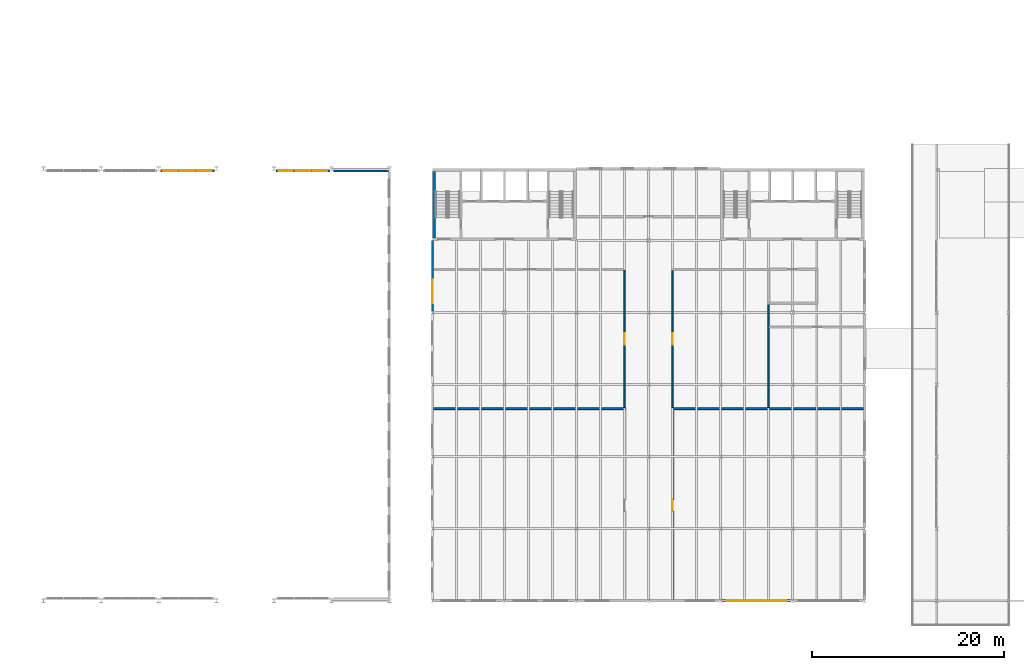
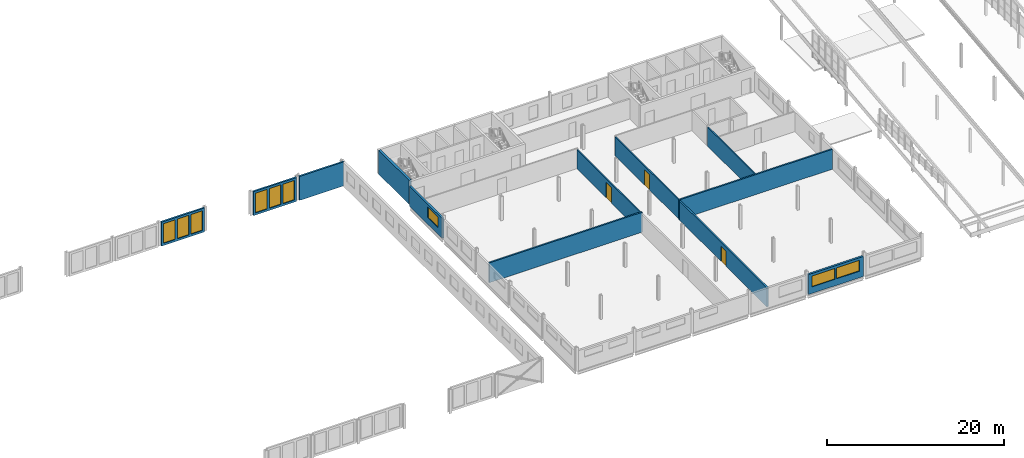
# One storey, part 53 of 199: 12 walls, 9 windows, 3 doors, 12 openings.
"""IFC4 building model written with IfcOpenShell, lengths in metres."""

import ifcopenshell
import ifcopenshell.guid

model = None  # the IFC model being written
_history = None  # IfcOwnerHistory: only IFC2X3 demands one
_inside = {}  # id of a spatial element -> (the spatial element, [elements in it])
_under = {}  # id of a project, library or spatial element -> (it, [spatial elements below it])
_declared = {}  # id of a project -> (the project, [libraries it declares])
_typed = {}  # id of a type object -> (the type object, [elements of that type])
_made_of = {}  # id of a material, layer set ... -> (it, [elements and type objects made of it])


def new_model(schema):
    """Start an empty IFC model of exactly this schema.

    Asked for "IFC4X3", IfcOpenShell would pick the latest addendum, in which some entities
    have other attributes; the version numbers below select the first issue.
    IFC2X3 requires an IfcOwnerHistory on every rooted entity: one is made here for all.
    """
    global model, _history
    if schema == "IFC4X3":
        model = ifcopenshell.file(schema_version=(4, 3, 0, 0))
    else:
        model = ifcopenshell.file(schema=schema)
    _inside.clear()
    _under.clear()
    _declared.clear()
    _typed.clear()
    _made_of.clear()
    _history = None
    if model.schema == "IFC2X3":
        org = make("IfcOrganization", Name="unknown")
        user = make(
            "IfcPersonAndOrganization",
            ThePerson=make("IfcPerson", FamilyName="unknown"),
            TheOrganization=org,
        )
        app = make(
            "IfcApplication",
            ApplicationDeveloper=org,
            Version="unknown",
            ApplicationFullName="unknown",
            ApplicationIdentifier="unknown",
        )
        _history = make(
            "IfcOwnerHistory",
            OwningUser=user,
            OwningApplication=app,
            ChangeAction="ADDED",
            CreationDate=0,
        )
    return model


def make(cls, **values):
    """One entity of the class cls with the attributes given. An attribute that is None is left unset."""
    return model.create_entity(
        cls, **{name: value for name, value in values.items() if value is not None}
    )


def rooted(cls, **values):
    """An entity with a GlobalId (a new one), such as an element, a storey or a relation."""
    return make(cls, GlobalId=ifcopenshell.guid.new(), OwnerHistory=_history, **values)


def si_unit(unit_type, name, prefix=None):
    """IfcSIUnit, for example si_unit("LENGTHUNIT", "METRE", prefix="MILLI")."""
    return make("IfcSIUnit", UnitType=unit_type, Prefix=prefix, Name=name)


def assignment(units):
    """IfcUnitAssignment: the units of a project."""
    return None if units is None else make("IfcUnitAssignment", Units=units)


def point(xyz):
    """IfcCartesianPoint."""
    return None if xyz is None else make("IfcCartesianPoint", Coordinates=xyz)


def direction(xyz):
    """IfcDirection."""
    return None if xyz is None else make("IfcDirection", DirectionRatios=xyz)


def frame(location, z_axis=None, x_axis=None):
    """IfcAxis2Placement3D, a coordinate frame: its origin and axes. An axis left out is left unset."""
    return make(
        "IfcAxis2Placement3D",
        Location=point(location),
        Axis=direction(z_axis),
        RefDirection=direction(x_axis),
    )


def frame_2d(location, x_axis=None):
    """IfcAxis2Placement2D, a coordinate frame in the plane: its origin and x axis."""
    return make(
        "IfcAxis2Placement2D", Location=point(location), RefDirection=direction(x_axis)
    )


def origin():
    """The frame at (0, 0, 0) with its axes left unset."""
    return frame((0.0, 0.0, 0.0))


def place(relative_to, where):
    """IfcLocalPlacement: puts the frame where relative to a parent placement (None: the world)."""
    return make(
        "IfcLocalPlacement", PlacementRelTo=relative_to, RelativePlacement=where
    )


def context(
    kind, dimensions, precision=None, world=None, true_north=None, identifier=None
):
    """IfcGeometricRepresentationContext, for example the 3D "Model" context."""
    return make(
        "IfcGeometricRepresentationContext",
        ContextIdentifier=identifier,
        ContextType=kind,
        CoordinateSpaceDimension=dimensions,
        Precision=precision,
        WorldCoordinateSystem=world,
        TrueNorth=true_north,
    )


def subcontext(parent, identifier, kind, view, scale=None):
    """IfcGeometricRepresentationSubContext, for example "Body" below "Model"."""
    return make(
        "IfcGeometricRepresentationSubContext",
        ContextIdentifier=identifier,
        ContextType=kind,
        ParentContext=parent,
        TargetScale=scale,
        TargetView=view,
    )


def project(units=None, contexts=None):
    """IfcProject with its units and contexts."""
    return rooted(
        "IfcProject",
        Name="project",
        RepresentationContexts=contexts,
        UnitsInContext=assignment(units),
    )


def spatial(cls, under=None, at=None, **own):
    """A site, building, storey or space (cls), placed at a placement, below another one or the project."""
    s = rooted(cls, ObjectPlacement=at, **own)
    if under is not None:
        _under.setdefault(under.id(), (under, []))[1].append(s)
    return s


def profile(cls, at=None, kind="AREA", **sizes):
    """A parametric profile (cls). Its sizes go by their IFC names, for example OverallWidth=200.0."""
    return make(cls, ProfileType=kind, Position=at, **sizes)


def rectangle(**sizes):
    """IfcRectangleProfileDef."""
    return profile("IfcRectangleProfileDef", **sizes)


def extrude(swept, where, along, depth):
    """IfcExtrudedAreaSolid: the profile swept, set in the frame where, extruded along a direction by depth."""
    return make(
        "IfcExtrudedAreaSolid",
        SweptArea=swept,
        Position=where,
        ExtrudedDirection=direction(along),
        Depth=depth,
    )


def shape(context_of_items, identifier, shape_type, items):
    """IfcShapeRepresentation: the items that make up one representation, for example the "Body"."""
    return make(
        "IfcShapeRepresentation",
        ContextOfItems=context_of_items,
        RepresentationIdentifier=identifier,
        RepresentationType=shape_type,
        Items=items,
    )


def material(Name=None, Category=None):
    """IfcMaterial."""
    return make("IfcMaterial", Name=Name, Category=Category)


def layer(
    of_material, thickness, ventilated=None, Name=None, Category=None, Priority=None
):
    """IfcMaterialLayer: one layer of a wall or slab, of a material (None: an air gap)."""
    return make(
        "IfcMaterialLayer",
        Material=of_material,
        LayerThickness=thickness,
        IsVentilated=ventilated,
        Name=Name,
        Category=Category,
        Priority=Priority,
    )


def layer_set(layers, Name=None):
    """IfcMaterialLayerSet."""
    return make("IfcMaterialLayerSet", MaterialLayers=layers, LayerSetName=Name)


def made_of(thing, what):
    """Note that an element or type object is made of a material, layer set ...; save() writes the relation."""
    if what is not None:
        _made_of.setdefault(what.id(), (what, []))[1].append(thing)
    return thing


def type_object(cls, material=None, **own):
    """A type object (cls), such as IfcWallType, which elements share."""
    return made_of(rooted(cls, **own), material)


def element(
    cls,
    number,
    at=None,
    inside=None,
    cuts=None,
    type_object=None,
    material=None,
    context=None,
    identifier="Body",
    shape_type=None,
    held_by="IfcProductDefinitionShape",
    body=None,
    shapes=None,
    **own,
):
    """One element of the class cls, such as IfcWall. Its Tag is "e" and its number.

    at: its placement. inside: the storey or other place that contains it. cuts: it is an
    opening in that element (IfcRelVoidsElement). A single representation is given by context,
    identifier, shape_type and body (its items); several are given by shapes. held_by: the class
    of the entity that holds the representations. save() writes the other relations.
    """
    e = rooted(cls, Tag="e%d" % number, ObjectPlacement=at, **own)
    if body is not None:
        shapes = [shape(context, identifier, shape_type, body)]
    if shapes is not None:
        e.Representation = make(held_by, Representations=shapes)
    if inside is not None:
        _inside.setdefault(inside.id(), (inside, []))[1].append(e)
    if cuts is not None:
        rooted(
            "IfcRelVoidsElement", RelatingBuildingElement=cuts, RelatedOpeningElement=e
        )
    if type_object is not None:
        _typed.setdefault(type_object.id(), (type_object, []))[1].append(e)
    return made_of(e, material)


def fill(opening, filler):
    """IfcRelFillsElement: the door or window that sits in an opening."""
    return rooted(
        "IfcRelFillsElement",
        RelatingOpeningElement=opening,
        RelatedBuildingElement=filler,
    )


def aggregate(whole, parts):
    """IfcRelAggregates: a whole, such as a stair, and the parts it consists of."""
    return rooted("IfcRelAggregates", RelatingObject=whole, RelatedObjects=parts)


def save(model, path):
    """Write the relations noted so far, then the file.

    IfcRelAggregates (storeys below a building ...), IfcRelContainedInSpatialStructure (elements
    in a storey), IfcRelDefinesByType, IfcRelAssociatesMaterial and IfcRelDeclares: one each for
    every whole, place, type object, material and project.
    """
    for whole, parts in _under.values():
        aggregate(whole, parts)
    for where, things in _inside.values():
        rooted(
            "IfcRelContainedInSpatialStructure",
            RelatedElements=things,
            RelatingStructure=where,
        )
    for kind, things in _typed.values():
        rooted("IfcRelDefinesByType", RelatedObjects=things, RelatingType=kind)
    for what, things in _made_of.values():
        rooted("IfcRelAssociatesMaterial", RelatedObjects=things, RelatingMaterial=what)
    for by, libraries in _declared.values():
        rooted("IfcRelDeclares", RelatingContext=by, RelatedDefinitions=libraries)
    model.write(path)


model = new_model("IFC4")

# Units and contexts
model_context = context("Model", 3, precision=1e-05, world=origin(), true_north=direction((0.0, 1.0)))
body_context = subcontext(model_context, "Body", "Model", "MODEL_VIEW")
ifc_project = project(units=[si_unit("LENGTHUNIT", "METRE"), si_unit("AREAUNIT", "SQUARE_METRE"), si_unit("VOLUMEUNIT", "CUBIC_METRE"), si_unit("PLANEANGLEUNIT", "RADIAN"), si_unit("MASSUNIT", "GRAM", prefix="KILO")], contexts=[model_context])

# Site, building, storey
site_placement = place(None, origin())
site = spatial("IfcSite", under=ifc_project, at=site_placement, CompositionType="ELEMENT")
building_placement = place(site_placement, origin())
building = spatial("IfcBuilding", under=site, at=building_placement, Name="Parallax Yard Mobility Hub", CompositionType="ELEMENT")
storey_placement = place(building_placement, frame((0.0, 0.0, 9.89990234375)))
storey = spatial("IfcBuildingStorey", under=building, at=storey_placement, Name="L03", CompositionType="ELEMENT", Elevation=9.89990234375)

# Wall
ifc_material_1 = material(Name="Concrete fc' 35 MPa", Category="concrete")
ifc_layer_1 = layer(ifc_material_1, 0.300048828125)
ifc_layer_set_1 = layer_set([ifc_layer_1], Name="Concrete fc' 35 MPa core wall 300")
wall_type_1 = type_object("IfcWallType", Name="Concrete fc' 35 MPa core wall 300", PredefinedType="SHEAR", material=ifc_layer_set_1)
wall_1_placement = place(storey_placement, frame((97.64990234375, 45.300048828125, 0.0), z_axis=(0.0, 0.0, 1.0), x_axis=(0.0, 1.0, 0.0)))
element("IfcWall", 1, at=wall_1_placement, inside=storey, type_object=wall_type_1, Name="Core C6-W west-side end wall level L03", PredefinedType="SHEAR", context=body_context, shape_type="SweptSolid", body=[
    extrude(rectangle(XDim=6.89990234375, YDim=0.300048828125, at=frame_2d((3.449951171875, 0.0))), origin(), (0.0, 0.0, 1.0), 3.300048828125),
])

# Wall, openings, windows
ifc_layer_2 = layer(ifc_material_1, 0.25)
ifc_layer_set_2 = layer_set([ifc_layer_2], Name="Exterior wall, Concrete fc' 35 MPa precast, 250 with insulation lining")
wall_type_2 = type_object("IfcWallType", Name="Exterior wall, Concrete fc' 35 MPa precast, 250 with insulation lining", PredefinedType="SOLIDWALL", material=ifc_layer_set_2)
wall_2_placement = place(storey_placement, frame((127.653564453125, 7.5, 0.0), z_axis=(0.0, 0.0, 1.0), x_axis=(1.0, 0.0, 0.0)))
wall_2 = element("IfcWall", 2, at=wall_2_placement, inside=storey, type_object=wall_type_2, Name="Mobility service centre and workshops south wall bay 5 level L03", PredefinedType="SOLIDWALL", context=body_context, shape_type="SweptSolid", body=[
    extrude(rectangle(XDim=7.19287109375, YDim=0.25, at=frame_2d((3.596435546875, 0.0))), origin(), (0.0, 0.0, 1.0), 2.7509765625),
])
opening_1_placement = place(wall_2_placement, frame((0.497802734375, 0.0, 0.89990234375)))
opening_1 = element("IfcOpeningElement", 3, at=opening_1_placement, cuts=wall_2, Name="Opening W7", PredefinedType="OPENING", context=body_context, shape_type="SweptSolid", body=[
    extrude(rectangle(XDim=3.0, YDim=1.5, at=frame_2d((1.5, 0.75))), frame((0.0, 0.135009765625, 0.0), z_axis=(0.0, -1.0, 0.0), x_axis=(1.0, 0.0, 0.0)), (0.0, 0.0, 1.0), 0.27001953125),
])
opening_2_placement = place(wall_2_placement, frame((3.6953125, 0.0, 0.89990234375)))
opening_2 = element("IfcOpeningElement", 4, at=opening_2_placement, cuts=wall_2, Name="Opening W7", PredefinedType="OPENING", context=body_context, shape_type="SweptSolid", body=[
    extrude(rectangle(XDim=3.0, YDim=1.5, at=frame_2d((1.5, 0.75))), frame((0.0, 0.135009765625, 0.0), z_axis=(0.0, -1.0, 0.0), x_axis=(1.0, 0.0, 0.0)), (0.0, 0.0, 1.0), 0.27001953125),
])
ifc_material_2 = material(Name="Double glazed low-E unit in thermally broken aluminium frame", Category="aluminium")
window_type_1 = type_object("IfcWindowType", Name="Meeting room window 3000 x 1500", PartitioningType="TRIPLE_PANEL_VERTICAL", PredefinedType="WINDOW", material=ifc_material_2)
window_1_placement = place(opening_1_placement, origin())
window_1 = element("IfcWindow", 5, at=window_1_placement, inside=storey, type_object=window_type_1, Name="Window W7 level L03", OverallHeight=1.5, OverallWidth=3.0, PartitioningType="TRIPLE_PANEL_VERTICAL", PredefinedType="WINDOW", context=body_context, shape_type="SweptSolid", body=[
    extrude(rectangle(XDim=3.0, YDim=1.5, at=frame_2d((1.5, 0.75))), frame((0.0, 0.030029296875, 0.0), z_axis=(0.0, -1.0, 0.0), x_axis=(1.0, 0.0, 0.0)), (0.0, 0.0, 1.0), 0.06005859375),
])
fill(opening_1, window_1)
window_2_placement = place(opening_2_placement, origin())
window_2 = element("IfcWindow", 6, at=window_2_placement, inside=storey, type_object=window_type_1, Name="Window W7 level L03", OverallHeight=1.5, OverallWidth=3.0, PartitioningType="TRIPLE_PANEL_VERTICAL", PredefinedType="WINDOW", context=body_context, shape_type="SweptSolid", body=[
    extrude(rectangle(XDim=3.0, YDim=1.5, at=frame_2d((1.5, 0.75))), frame((0.0, 0.030029296875, 0.0), z_axis=(0.0, -1.0, 0.0), x_axis=(1.0, 0.0, 0.0)), (0.0, 0.0, 1.0), 0.06005859375),
])
fill(opening_2, window_2)

# Wall, opening, window
wall_3_placement = place(storey_placement, frame((97.5, 37.658935546875, 0.0), z_axis=(0.0, 0.0, 1.0), x_axis=(0.0, 1.0, 0.0)))
wall_3 = element("IfcWall", 7, at=wall_3_placement, inside=storey, type_object=wall_type_2, Name="Mobility service centre and workshops west wall bay 5 level L03", PredefinedType="SOLIDWALL", context=body_context, shape_type="SweptSolid", body=[
    extrude(rectangle(XDim=7.341064453125, YDim=0.25, at=frame_2d((3.67041015625, 0.0))), origin(), (0.0, 0.0, 1.0), 2.7509765625),
])
opening_3_placement = place(wall_3_placement, frame((0.846923828125, 0.0, 0.89990234375)))
opening_3 = element("IfcOpeningElement", 8, at=opening_3_placement, cuts=wall_3, Name="Opening W1", PredefinedType="OPENING", context=body_context, shape_type="SweptSolid", body=[
    extrude(rectangle(XDim=2.39990234375, YDim=1.5, at=frame_2d((1.199951171875, 0.75))), frame((0.0, 0.135009765625, 0.0), z_axis=(0.0, -1.0, 0.0), x_axis=(1.0, 0.0, 0.0)), (0.0, 0.0, 1.0), 0.27001953125),
])
window_type_2 = type_object("IfcWindowType", Name="Window 2400 x 1500", PartitioningType="DOUBLE_PANEL_VERTICAL", PredefinedType="WINDOW", material=ifc_material_2)
window_3_placement = place(opening_3_placement, origin())
window_3 = element("IfcWindow", 9, at=window_3_placement, inside=storey, type_object=window_type_2, Name="Window W1 level L03", OverallHeight=1.5, OverallWidth=2.39990234375, PartitioningType="DOUBLE_PANEL_VERTICAL", PredefinedType="WINDOW", context=body_context, shape_type="SweptSolid", body=[
    extrude(rectangle(XDim=2.39990234375, YDim=1.5, at=frame_2d((1.199951171875, 0.75))), frame((0.0, 0.030029296875, 0.0), z_axis=(0.0, -1.0, 0.0), x_axis=(1.0, 0.0, 0.0)), (0.0, 0.0, 1.0), 0.06005859375),
])
fill(opening_3, window_3)

# Walls
ifc_material_3 = material(Name="Fire-rated plasterboard partition, two layers each side")
ifc_layer_3 = layer(ifc_material_3, 0.199951171875)
ifc_layer_set_3 = layer_set([ifc_layer_3], Name="Fire-rated partition 200 mm")
wall_type_3 = type_object("IfcWallType", Name="Fire-rated partition 200 mm", PredefinedType="PARTITIONING", material=ifc_layer_set_3)
for number, where, z_axis, x_axis, name in (
    (10, (97.625, 27.5, 0.0), (0.0, 0.0, 1.0), (1.0, 0.0, 0.0), "Partition 1 level L03"),
    (11, (122.39990234375, 27.5, 0.0), (0.0, 0.0, 1.0), (1.0, 0.0, 0.0), "Partition 2 level L03"),
):
    element("IfcWall", number, at=place(storey_placement, frame(where, z_axis=z_axis, x_axis=x_axis)), inside=storey, type_object=wall_type_3, Name=name, PredefinedType="PARTITIONING", context=body_context, shape_type="SweptSolid", body=[
        extrude(rectangle(XDim=19.97509765625, YDim=0.199951171875, at=frame_2d((9.987548828125, 0.0))), origin(), (0.0, 0.0, 1.0), 2.7509765625),
    ])

# Wall, opening, door
wall_4_placement = place(storey_placement, frame((122.5, 7.625, 0.0), z_axis=(0.0, 0.0, 1.0), x_axis=(0.0, 1.0, 0.0)))
wall_4 = element("IfcWall", 12, at=wall_4_placement, inside=storey, type_object=wall_type_3, Name="Partition 31 level L03", PredefinedType="PARTITIONING", context=body_context, shape_type="SweptSolid", body=[
    extrude(rectangle(XDim=19.77490234375, YDim=0.199951171875, at=frame_2d((9.887451171875, 0.0))), origin(), (0.0, 0.0, 1.0), 2.627197265625),
])
opening_4_placement = place(wall_4_placement, frame((9.175048828125, 0.0, 0.0)))
opening_4 = element("IfcOpeningElement", 13, at=opening_4_placement, cuts=wall_4, Name="Opening L03-D201", PredefinedType="OPENING", context=body_context, shape_type="SweptSolid", body=[
    extrude(rectangle(XDim=1.199951171875, YDim=2.10009765625, at=frame_2d((0.60009765625, 1.050048828125))), frame((0.0, 0.10986328125, 0.0), z_axis=(0.0, -1.0, 0.0), x_axis=(1.0, 0.0, 0.0)), (0.0, 0.0, 1.0), 0.219970703125),
])
ifc_material_4 = material(Name="Hollow metal fire door leaf with intumescent seals")
door_type_1 = type_object("IfcDoorType", Name="Fire door 1200 mm FD60", OperationType="DOUBLE_DOOR_SINGLE_SWING", PredefinedType="DOOR", material=ifc_material_4)
door_1_placement = place(opening_4_placement, origin())
door_1 = element("IfcDoor", 14, at=door_1_placement, inside=storey, type_object=door_type_1, Name="Door L03-D201 EV Training Bay", OperationType="DOUBLE_DOOR_SINGLE_SWING", OverallHeight=2.10009765625, OverallWidth=1.199951171875, PredefinedType="DOOR", context=body_context, shape_type="SweptSolid", body=[
    extrude(rectangle(XDim=1.199951171875, YDim=2.10009765625, at=frame_2d((0.60009765625, 1.050048828125))), frame((0.0, 0.02490234375, 0.0), z_axis=(0.0, -1.0, 0.0), x_axis=(1.0, 0.0, 0.0)), (0.0, 0.0, 1.0), 0.050048828125),
])
fill(opening_4, door_1)

# Wall, openings, windows
ifc_layer_4 = layer(ifc_material_1, 0.219970703125)
ifc_layer_set_4 = layer_set([ifc_layer_4], Name="Gable panel, Concrete fc' 35 MPa precast, 220")
wall_type_4 = type_object("IfcWallType", Name="Gable panel, Concrete fc' 35 MPa precast, 220", PredefinedType="SOLIDWALL", material=ifc_layer_set_4)
wall_5_placement = place(storey_placement, frame((69.1865234375, 52.27587890625, 0.0), z_axis=(0.0, 0.0, 1.0), x_axis=(1.0, 0.0, 0.0)))
wall_5 = element("IfcWall", 15, at=wall_5_placement, inside=storey, type_object=wall_type_4, Name="Bus and taxi deck north gable wall bay 9 level L03", PredefinedType="SOLIDWALL", context=body_context, shape_type="SweptSolid", body=[
    extrude(rectangle(XDim=5.626953125, YDim=0.219970703125, at=frame_2d((2.8134765625, 0.0))), origin(), (0.0, 0.0, 1.0), 3.300048828125),
])
opening_5_placement = place(wall_5_placement, frame((0.28173828125, 0.0, 0.300048828125)))
opening_5 = element("IfcOpeningElement", 16, at=opening_5_placement, cuts=wall_5, Name="Opening LV8", PredefinedType="OPENING", context=body_context, shape_type="SweptSolid", body=[
    extrude(rectangle(XDim=1.5, YDim=2.699951171875, at=frame_2d((0.75, 1.35009765625))), frame((0.0, 0.1201171875, 0.0), z_axis=(0.0, -1.0, 0.0), x_axis=(1.0, 0.0, 0.0)), (0.0, 0.0, 1.0), 0.239990234375),
])
opening_6_placement = place(wall_5_placement, frame((2.0634765625, 0.0, 0.300048828125)))
opening_6 = element("IfcOpeningElement", 17, at=opening_6_placement, cuts=wall_5, Name="Opening LV8", PredefinedType="OPENING", context=body_context, shape_type="SweptSolid", body=[
    extrude(rectangle(XDim=1.5, YDim=2.699951171875, at=frame_2d((0.75, 1.35009765625))), frame((0.0, 0.1201171875, 0.0), z_axis=(0.0, -1.0, 0.0), x_axis=(1.0, 0.0, 0.0)), (0.0, 0.0, 1.0), 0.239990234375),
])
opening_7_placement = place(wall_5_placement, frame((3.84521484375, 0.0, 0.300048828125)))
opening_7 = element("IfcOpeningElement", 18, at=opening_7_placement, cuts=wall_5, Name="Opening LV8", PredefinedType="OPENING", context=body_context, shape_type="SweptSolid", body=[
    extrude(rectangle(XDim=1.5, YDim=2.699951171875, at=frame_2d((0.75, 1.35009765625))), frame((0.0, 0.1201171875, 0.0), z_axis=(0.0, -1.0, 0.0), x_axis=(1.0, 0.0, 0.0)), (0.0, 0.0, 1.0), 0.239990234375),
])
ifc_material_5 = material(Name="Extruded aluminium storm louvre blades in a powder-coated frame", Category="aluminium")
window_type_3 = type_object("IfcWindowType", Name="Storm louvre 1500 x 2700", PartitioningType="SINGLE_PANEL", PredefinedType="WINDOW", material=ifc_material_5)
window_4_placement = place(opening_5_placement, origin())
window_4 = element("IfcWindow", 19, at=window_4_placement, inside=storey, type_object=window_type_3, Name="LV8 louvre level L03", OverallHeight=2.699951171875, OverallWidth=1.5, PartitioningType="SINGLE_PANEL", PredefinedType="WINDOW", context=body_context, shape_type="SweptSolid", body=[
    extrude(rectangle(XDim=1.5, YDim=2.699951171875, at=frame_2d((0.75, 1.35009765625))), frame((0.0, 0.030029296875, 0.0), z_axis=(0.0, -1.0, 0.0), x_axis=(1.0, 0.0, 0.0)), (0.0, 0.0, 1.0), 0.06005859375),
])
fill(opening_5, window_4)
window_5_placement = place(opening_6_placement, origin())
window_5 = element("IfcWindow", 20, at=window_5_placement, inside=storey, type_object=window_type_3, Name="LV8 louvre level L03", OverallHeight=2.699951171875, OverallWidth=1.5, PartitioningType="SINGLE_PANEL", PredefinedType="WINDOW", context=body_context, shape_type="SweptSolid", body=[
    extrude(rectangle(XDim=1.5, YDim=2.699951171875, at=frame_2d((0.75, 1.35009765625))), frame((0.0, 0.030029296875, 0.0), z_axis=(0.0, -1.0, 0.0), x_axis=(1.0, 0.0, 0.0)), (0.0, 0.0, 1.0), 0.06005859375),
])
fill(opening_6, window_5)
window_6_placement = place(opening_7_placement, origin())
window_6 = element("IfcWindow", 21, at=window_6_placement, inside=storey, type_object=window_type_3, Name="LV8 louvre level L03", OverallHeight=2.699951171875, OverallWidth=1.5, PartitioningType="SINGLE_PANEL", PredefinedType="WINDOW", context=body_context, shape_type="SweptSolid", body=[
    extrude(rectangle(XDim=1.5, YDim=2.699951171875, at=frame_2d((0.75, 1.35009765625))), frame((0.0, 0.030029296875, 0.0), z_axis=(0.0, -1.0, 0.0), x_axis=(1.0, 0.0, 0.0)), (0.0, 0.0, 1.0), 0.06005859375),
])
fill(opening_7, window_6)

wall_6_placement = place(storey_placement, frame((81.1865234375, 52.27587890625, 0.0), z_axis=(0.0, 0.0, 1.0), x_axis=(1.0, 0.0, 0.0)))
wall_6 = element("IfcWall", 22, at=wall_6_placement, inside=storey, type_object=wall_type_4, Name="Bus and taxi deck north gable wall bay 10 level L03", PredefinedType="SOLIDWALL", context=body_context, shape_type="SweptSolid", body=[
    extrude(rectangle(XDim=5.626953125, YDim=0.219970703125, at=frame_2d((2.8134765625, 0.0))), origin(), (0.0, 0.0, 1.0), 3.300048828125),
])
opening_8_placement = place(wall_6_placement, frame((0.28173828125, 0.0, 0.300048828125)))
opening_8 = element("IfcOpeningElement", 23, at=opening_8_placement, cuts=wall_6, Name="Opening LV8", PredefinedType="OPENING", context=body_context, shape_type="SweptSolid", body=[
    extrude(rectangle(XDim=1.5, YDim=2.699951171875, at=frame_2d((0.75, 1.35009765625))), frame((0.0, 0.1201171875, 0.0), z_axis=(0.0, -1.0, 0.0), x_axis=(1.0, 0.0, 0.0)), (0.0, 0.0, 1.0), 0.239990234375),
])
opening_9_placement = place(wall_6_placement, frame((2.0634765625, 0.0, 0.300048828125)))
opening_9 = element("IfcOpeningElement", 24, at=opening_9_placement, cuts=wall_6, Name="Opening LV8", PredefinedType="OPENING", context=body_context, shape_type="SweptSolid", body=[
    extrude(rectangle(XDim=1.5, YDim=2.699951171875, at=frame_2d((0.75, 1.35009765625))), frame((0.0, 0.1201171875, 0.0), z_axis=(0.0, -1.0, 0.0), x_axis=(1.0, 0.0, 0.0)), (0.0, 0.0, 1.0), 0.239990234375),
])
opening_10_placement = place(wall_6_placement, frame((3.84521484375, 0.0, 0.300048828125)))
opening_10 = element("IfcOpeningElement", 25, at=opening_10_placement, cuts=wall_6, Name="Opening LV8", PredefinedType="OPENING", context=body_context, shape_type="SweptSolid", body=[
    extrude(rectangle(XDim=1.5, YDim=2.699951171875, at=frame_2d((0.75, 1.35009765625))), frame((0.0, 0.1201171875, 0.0), z_axis=(0.0, -1.0, 0.0), x_axis=(1.0, 0.0, 0.0)), (0.0, 0.0, 1.0), 0.239990234375),
])
window_7_placement = place(opening_8_placement, origin())
window_7 = element("IfcWindow", 26, at=window_7_placement, inside=storey, type_object=window_type_3, Name="LV8 louvre level L03", OverallHeight=2.699951171875, OverallWidth=1.5, PartitioningType="SINGLE_PANEL", PredefinedType="WINDOW", context=body_context, shape_type="SweptSolid", body=[
    extrude(rectangle(XDim=1.5, YDim=2.699951171875, at=frame_2d((0.75, 1.35009765625))), frame((0.0, 0.030029296875, 0.0), z_axis=(0.0, -1.0, 0.0), x_axis=(1.0, 0.0, 0.0)), (0.0, 0.0, 1.0), 0.06005859375),
])
fill(opening_8, window_7)
window_8_placement = place(opening_9_placement, origin())
window_8 = element("IfcWindow", 27, at=window_8_placement, inside=storey, type_object=window_type_3, Name="LV8 louvre level L03", OverallHeight=2.699951171875, OverallWidth=1.5, PartitioningType="SINGLE_PANEL", PredefinedType="WINDOW", context=body_context, shape_type="SweptSolid", body=[
    extrude(rectangle(XDim=1.5, YDim=2.699951171875, at=frame_2d((0.75, 1.35009765625))), frame((0.0, 0.030029296875, 0.0), z_axis=(0.0, -1.0, 0.0), x_axis=(1.0, 0.0, 0.0)), (0.0, 0.0, 1.0), 0.06005859375),
])
fill(opening_9, window_8)
window_9_placement = place(opening_10_placement, origin())
window_9 = element("IfcWindow", 28, at=window_9_placement, inside=storey, type_object=window_type_3, Name="LV8 louvre level L03", OverallHeight=2.699951171875, OverallWidth=1.5, PartitioningType="SINGLE_PANEL", PredefinedType="WINDOW", context=body_context, shape_type="SweptSolid", body=[
    extrude(rectangle(XDim=1.5, YDim=2.699951171875, at=frame_2d((0.75, 1.35009765625))), frame((0.0, 0.030029296875, 0.0), z_axis=(0.0, -1.0, 0.0), x_axis=(1.0, 0.0, 0.0)), (0.0, 0.0, 1.0), 0.06005859375),
])
fill(opening_10, window_9)

# Wall
wall_7_placement = place(storey_placement, frame((87.1865234375, 52.27099609375, 0.0), z_axis=(0.0, 0.0, 1.0), x_axis=(1.0, 0.0, 0.0)))
element("IfcWall", 29, at=wall_7_placement, inside=storey, type_object=wall_type_4, Name="Bus and taxi deck north gable wall bay 11 level L03", PredefinedType="SOLIDWALL", context=body_context, shape_type="SweptSolid", body=[
    extrude(rectangle(XDim=5.783447265625, YDim=0.219970703125, at=frame_2d((2.8916015625, 0.0))), origin(), (0.0, 0.0, 1.0), 3.300048828125),
])

# Wall, opening, door
ifc_material_6 = material(Name="Plasterboard partition on light framing")
ifc_layer_5 = layer(ifc_material_6, 0.14990234375)
ifc_layer_set_5 = layer_set([ifc_layer_5], Name="Partition 150 mm")
wall_type_5 = type_object("IfcWallType", Name="Partition 150 mm", PredefinedType="PARTITIONING", material=ifc_layer_set_5)
wall_8_placement = place(storey_placement, frame((117.5, 27.60009765625, 0.0), z_axis=(0.0, 0.0, 1.0), x_axis=(0.0, 1.0, 0.0)))
wall_8 = element("IfcWall", 30, at=wall_8_placement, inside=storey, type_object=wall_type_5, Name="Partition 30 level L03", PredefinedType="PARTITIONING", context=body_context, shape_type="SweptSolid", body=[
    extrude(rectangle(XDim=14.324951171875, YDim=0.14990234375, at=frame_2d((7.16259765625, 0.0))), origin(), (0.0, 0.0, 1.0), 2.627197265625),
])
opening_11_placement = place(wall_8_placement, frame((6.550048828125, 0.0, 0.0)))
opening_11 = element("IfcOpeningElement", 31, at=opening_11_placement, cuts=wall_8, Name="Opening L03-D202", PredefinedType="OPENING", context=body_context, shape_type="SweptSolid", body=[
    extrude(rectangle(XDim=1.199951171875, YDim=2.10009765625, at=frame_2d((0.60009765625, 1.050048828125))), frame((0.0, 0.0849609375, 0.0), z_axis=(0.0, -1.0, 0.0), x_axis=(1.0, 0.0, 0.0)), (0.0, 0.0, 1.0), 0.169921875),
])
ifc_material_7 = material(Name="Solid timber door leaf", Category="wood")
door_type_2 = type_object("IfcDoorType", Name="Interior door 1200 mm", OperationType="DOUBLE_DOOR_SINGLE_SWING", PredefinedType="DOOR", material=ifc_material_7)
door_2_placement = place(opening_11_placement, origin())
door_2 = element("IfcDoor", 32, at=door_2_placement, inside=storey, type_object=door_type_2, Name="Door L03-D202 Classroom", OperationType="DOUBLE_DOOR_SINGLE_SWING", OverallHeight=2.10009765625, OverallWidth=1.199951171875, PredefinedType="DOOR", context=body_context, shape_type="SweptSolid", body=[
    extrude(rectangle(XDim=1.199951171875, YDim=2.10009765625, at=frame_2d((0.60009765625, 1.050048828125))), frame((0.0, 0.02490234375, 0.0), z_axis=(0.0, -1.0, 0.0), x_axis=(1.0, 0.0, 0.0)), (0.0, 0.0, 1.0), 0.050048828125),
])
fill(opening_11, door_2)

wall_9_placement = place(storey_placement, frame((122.5, 27.60009765625, 0.0), z_axis=(0.0, 0.0, 1.0), x_axis=(0.0, 1.0, 0.0)))
wall_9 = element("IfcWall", 33, at=wall_9_placement, inside=storey, type_object=wall_type_5, Name="Partition 32 level L03", PredefinedType="PARTITIONING", context=body_context, shape_type="SweptSolid", body=[
    extrude(rectangle(XDim=14.324951171875, YDim=0.14990234375, at=frame_2d((7.16259765625, 0.0))), origin(), (0.0, 0.0, 1.0), 2.627197265625),
])
opening_12_placement = place(wall_9_placement, frame((6.550048828125, 0.0, 0.0)))
opening_12 = element("IfcOpeningElement", 34, at=opening_12_placement, cuts=wall_9, Name="Opening L03-D203", PredefinedType="OPENING", context=body_context, shape_type="SweptSolid", body=[
    extrude(rectangle(XDim=1.199951171875, YDim=2.10009765625, at=frame_2d((0.60009765625, 1.050048828125))), frame((0.0, 0.0849609375, 0.0), z_axis=(0.0, -1.0, 0.0), x_axis=(1.0, 0.0, 0.0)), (0.0, 0.0, 1.0), 0.169921875),
])
door_3_placement = place(opening_12_placement, origin())
door_3 = element("IfcDoor", 35, at=door_3_placement, inside=storey, type_object=door_type_2, Name="Door L03-D203 Operator Meeting Room", OperationType="DOUBLE_DOOR_SINGLE_SWING", OverallHeight=2.10009765625, OverallWidth=1.199951171875, PredefinedType="DOOR", context=body_context, shape_type="SweptSolid", body=[
    extrude(rectangle(XDim=1.199951171875, YDim=2.10009765625, at=frame_2d((0.60009765625, 1.050048828125))), frame((0.0, 0.02490234375, 0.0), z_axis=(0.0, -1.0, 0.0), x_axis=(1.0, 0.0, 0.0)), (0.0, 0.0, 1.0), 0.050048828125),
])
fill(opening_12, door_3)

# Wall
wall_10_placement = place(storey_placement, frame((132.5, 27.60009765625, 0.0), z_axis=(0.0, 0.0, 1.0), x_axis=(0.0, 1.0, 0.0)))
element("IfcWall", 36, at=wall_10_placement, inside=storey, type_object=wall_type_5, Name="Partition 33 level L03", PredefinedType="PARTITIONING", context=body_context, shape_type="SweptSolid", body=[
    extrude(rectangle(XDim=10.7998046875, YDim=0.14990234375, at=frame_2d((5.39990234375, 0.0))), origin(), (0.0, 0.0, 1.0), 2.627197265625),
])

save(model, "model.ifc")
